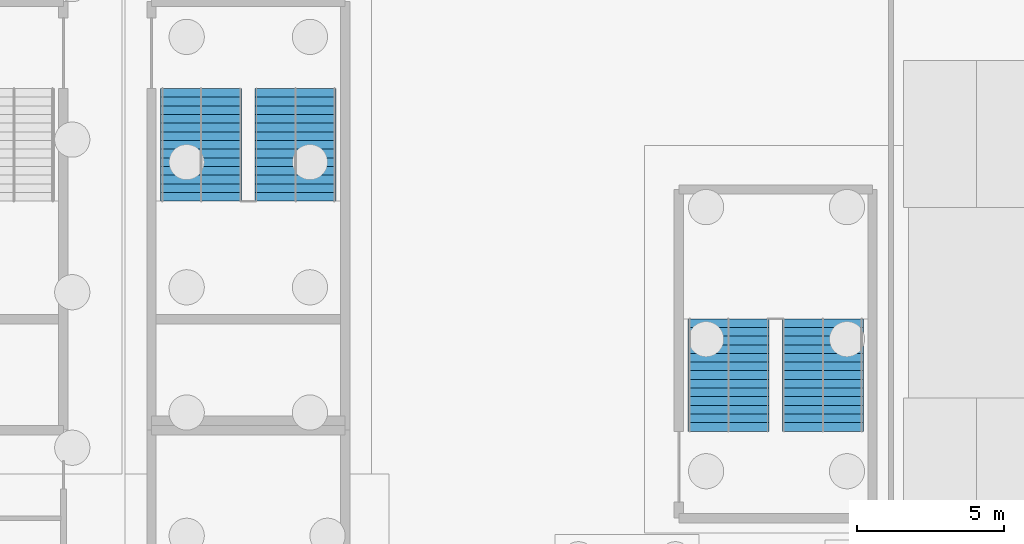
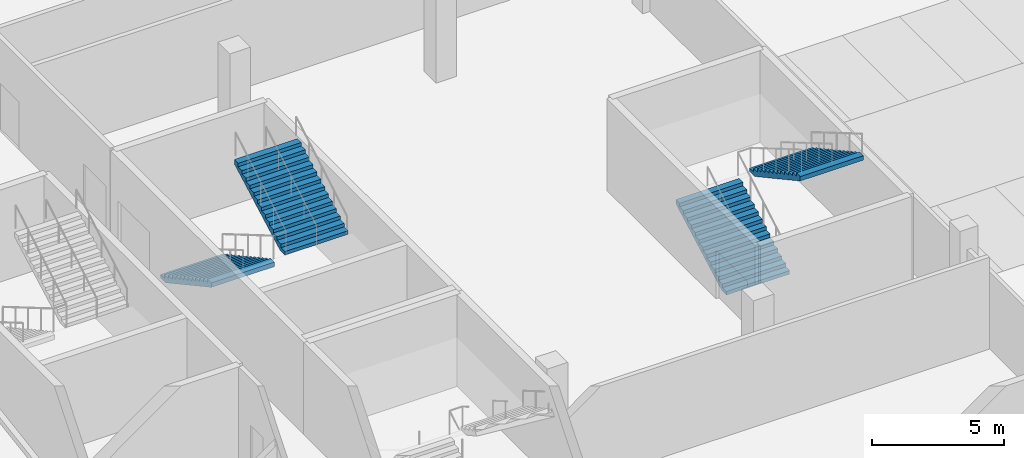
# One storey, part 32 of 46: 4 stair flights, 2 elements without a shape of their own.
"""IFC4 building model written with IfcOpenShell, lengths in metres."""

from ifc_helpers import new_model, si_unit, direction, frame, origin, place, context, subcontext, project, spatial, polygons, material, type_object, element, aggregate, save


model = new_model("IFC4")

# Units and contexts
model_context = context("Model", 3, precision=1e-05, world=origin(), true_north=direction((0.0, 1.0)))
body_context = subcontext(model_context, "Body", "Model", "MODEL_VIEW")
ifc_project = project(units=[si_unit("LENGTHUNIT", "METRE"), si_unit("AREAUNIT", "SQUARE_METRE"), si_unit("VOLUMEUNIT", "CUBIC_METRE"), si_unit("PLANEANGLEUNIT", "RADIAN"), si_unit("MASSUNIT", "GRAM", prefix="KILO")], contexts=[model_context])

# Site, building, storey
site_placement = place(None, origin())
site = spatial("IfcSite", under=ifc_project, at=site_placement, CompositionType="ELEMENT")
building_placement = place(site_placement, origin())
building = spatial("IfcBuilding", under=site, at=building_placement, Name="Kisiwana Market Hall", CompositionType="ELEMENT")
storey_placement = place(building_placement, frame((0.0, 0.0, -4.5)))
storey = spatial("IfcBuildingStorey", under=building, at=storey_placement, Name="B1", CompositionType="ELEMENT", Elevation=-4.5)

# Stair, stair flights
ifc_material_1 = material(Name="Concrete C32/40", Category="concrete")
stair_type = type_object("IfcStairType", Name="ST-ESC-4500", PredefinedType="TWO_STRAIGHT_RUN_STAIR", material=ifc_material_1)
stair_1_placement = place(storey_placement, origin())
stair_1 = element("IfcStair", 1, at=stair_1_placement, inside=storey, type_object=stair_type, Name="Escape stair ST-W8-B1", PredefinedType="TWO_STRAIGHT_RUN_STAIR")
ifc_material_2 = material(Name="Concrete C32/40", Category="concrete")
stair_flight_type = type_object("IfcStairFlightType", Name="SF-ESC-4500", PredefinedType="STRAIGHT", material=ifc_material_2)
stair_flight_1_placement = place(storey_placement, frame((21.489990234375, 77.639892578125, 0.0), z_axis=(0.0, 0.0, 1.0), x_axis=(0.0, -1.0, 0.0)))
stair_flight_1 = element("IfcStairFlight", 2, at=stair_flight_1_placement, type_object=stair_flight_type, Name="ST-W8-B1 flight 1", NumberOfRisers=14, NumberOfTreads=13, PredefinedType="STRAIGHT", RiserHeight=0.160714, TreadLength=0.295, context=body_context, shape_type="Tessellation", body=[
    polygons([(0.0, -1.380127, 0.0), (0.0, -0.690125, 0.0), (0.0, -0.000122, 0.0), (0.0, 0.68988, 0.0), (0.0, 1.379883, 0.0), (0.0, -1.380127, 0.160645), (0.0, -0.690125, 0.160645), (0.0, -0.000122, 0.160645), (0.0, 0.68988, 0.160645), (0.0, 1.379883, 0.160645), (0.294922, -1.380127, 0.160645), (0.294922, -0.690125, 0.160645), (0.294922, -0.000122, 0.160645), (0.294922, 0.68988, 0.160645), (0.294922, 1.379883, 0.160645), (0.294922, -1.380127, 0.321533), (0.294922, -0.690125, 0.321533), (0.294922, -0.000122, 0.321533), (0.294922, 0.68988, 0.321533), (0.294922, 1.379883, 0.321533), (0.590088, -1.380127, 0.321533), (0.590088, -0.690125, 0.321533), (0.590088, -0.000122, 0.321533), (0.590088, 0.68988, 0.321533), (0.590088, 1.379883, 0.321533), (0.590088, -1.380127, 0.482178), (0.590088, -0.690125, 0.482178), (0.590088, -0.000122, 0.482178), (0.590088, 0.68988, 0.482178), (0.590088, 1.379883, 0.482178), (0.88501, -1.380127, 0.482178), (0.88501, -0.690125, 0.482178), (0.88501, -0.000122, 0.482178), (0.88501, 0.68988, 0.482178), (0.88501, 1.379883, 0.482178), (0.88501, -1.380127, 0.642822), (0.88501, -0.690125, 0.642822), (0.88501, -0.000122, 0.642822), (0.88501, 0.68988, 0.642822), (0.88501, 1.379883, 0.642822), (1.179932, -1.380127, 0.642822), (1.179932, -0.690125, 0.642822), (1.179932, -0.000122, 0.642822), (1.179932, 0.68988, 0.642822), (1.179932, 1.379883, 0.642822), (1.179932, -1.380127, 0.803467), (1.179932, -0.690125, 0.803467), (1.179932, -0.000122, 0.803467), (1.179932, 0.68988, 0.803467), (1.179932, 1.379883, 0.803467), (1.475098, -1.380127, 0.803467), (1.475098, -0.690125, 0.803467), (1.475098, -0.000122, 0.803467), (1.475098, 0.68988, 0.803467), (1.475098, 1.379883, 0.803467), (1.475098, -1.380127, 0.964355), (1.475098, -0.690125, 0.964355), (1.475098, -0.000122, 0.964355), (1.475098, 0.68988, 0.964355), (1.475098, 1.379883, 0.964355), (1.77002, -1.380127, 0.964355), (1.77002, -0.690125, 0.964355), (1.77002, -0.000122, 0.964355), (1.77002, 0.68988, 0.964355), (1.77002, 1.379883, 0.964355), (1.77002, -1.380127, 1.125), (1.77002, -0.690125, 1.125), (1.77002, -0.000122, 1.125), (1.77002, 0.68988, 1.125), (1.77002, 1.379883, 1.125), (2.064941, -1.380127, 1.125), (2.064941, -0.690125, 1.125), (2.064941, -0.000122, 1.125), (2.064941, 0.68988, 1.125), (2.064941, 1.379883, 1.125), (2.064941, -1.380127, 1.285645), (2.064941, -0.690125, 1.285645), (2.064941, -0.000122, 1.285645), (2.064941, 0.68988, 1.285645), (2.064941, 1.379883, 1.285645), (2.360107, -1.380127, 1.285645), (2.360107, -0.690125, 1.285645), (2.360107, -0.000122, 1.285645), (2.360107, 0.68988, 1.285645), (2.360107, 1.379883, 1.285645), (2.360107, -1.380127, 1.446533), (2.360107, -0.690125, 1.446533), (2.360107, -0.000122, 1.446533), (2.360107, 0.68988, 1.446533), (2.360107, 1.379883, 1.446533), (2.655029, -1.380127, 1.446533), (2.655029, -0.690125, 1.446533), (2.655029, -0.000122, 1.446533), (2.655029, 0.68988, 1.446533), (2.655029, 1.379883, 1.446533), (2.655029, -1.380127, 1.607178), (2.655029, -0.690125, 1.607178), (2.655029, -0.000122, 1.607178), (2.655029, 0.68988, 1.607178), (2.655029, 1.379883, 1.607178), (2.949951, -1.380127, 1.607178), (2.949951, -0.690125, 1.607178), (2.949951, -0.000122, 1.607178), (2.949951, 0.68988, 1.607178), (2.949951, 1.379883, 1.607178), (2.949951, -1.380127, 1.767822), (2.949951, -0.690125, 1.767822), (2.949951, -0.000122, 1.767822), (2.949951, 0.68988, 1.767822), (2.949951, 1.379883, 1.767822), (3.245117, -1.380127, 1.767822), (3.245117, -0.690125, 1.767822), (3.245117, -0.000122, 1.767822), (3.245117, 0.68988, 1.767822), (3.245117, 1.379883, 1.767822), (3.245117, -1.380127, 1.928467), (3.245117, -0.690125, 1.928467), (3.245117, -0.000122, 1.928467), (3.245117, 0.68988, 1.928467), (3.245117, 1.379883, 1.928467), (3.540039, -1.380127, 1.928467), (3.540039, -0.690125, 1.928467), (3.540039, -0.000122, 1.928467), (3.540039, 0.68988, 1.928467), (3.540039, 1.379883, 1.928467), (3.540039, -1.380127, 2.089355), (3.540039, -0.690125, 2.089355), (3.540039, -0.000122, 2.089355), (3.540039, 0.68988, 2.089355), (3.540039, 1.379883, 2.089355), (3.834961, -1.380127, 2.089355), (3.834961, -0.690125, 2.089355), (3.834961, -0.000122, 2.089355), (3.834961, 0.68988, 2.089355), (3.834961, 1.379883, 2.089355), (3.834961, -1.380127, 1.884277), (3.834961, -0.690125, 1.884277), (3.834961, -0.000122, 1.884277), (3.834961, 0.68988, 1.884277), (3.834961, 1.379883, 1.884277), (0.376221, -1.380127, 0.0), (0.376221, -0.690125, 0.0), (0.376221, -0.000122, 0.0), (0.376221, 0.68988, 0.0), (0.376221, 1.379883, 0.0)], [[[1, 6, 7, 2]], [[2, 7, 8, 3]], [[3, 8, 9, 4]], [[4, 9, 10, 5]], [[6, 11, 12, 7]], [[7, 12, 13, 8]], [[8, 13, 14, 9]], [[9, 14, 15, 10]], [[11, 16, 17, 12]], [[12, 17, 18, 13]], [[13, 18, 19, 14]], [[14, 19, 20, 15]], [[16, 21, 22, 17]], [[17, 22, 23, 18]], [[18, 23, 24, 19]], [[19, 24, 25, 20]], [[21, 26, 27, 22]], [[22, 27, 28, 23]], [[23, 28, 29, 24]], [[24, 29, 30, 25]], [[26, 31, 32, 27]], [[27, 32, 33, 28]], [[28, 33, 34, 29]], [[29, 34, 35, 30]], [[31, 36, 37, 32]], [[32, 37, 38, 33]], [[33, 38, 39, 34]], [[34, 39, 40, 35]], [[36, 41, 42, 37]], [[37, 42, 43, 38]], [[38, 43, 44, 39]], [[39, 44, 45, 40]], [[41, 46, 47, 42]], [[42, 47, 48, 43]], [[43, 48, 49, 44]], [[44, 49, 50, 45]], [[46, 51, 52, 47]], [[47, 52, 53, 48]], [[48, 53, 54, 49]], [[49, 54, 55, 50]], [[51, 56, 57, 52]], [[52, 57, 58, 53]], [[53, 58, 59, 54]], [[54, 59, 60, 55]], [[56, 61, 62, 57]], [[57, 62, 63, 58]], [[58, 63, 64, 59]], [[59, 64, 65, 60]], [[61, 66, 67, 62]], [[62, 67, 68, 63]], [[63, 68, 69, 64]], [[64, 69, 70, 65]], [[66, 71, 72, 67]], [[67, 72, 73, 68]], [[68, 73, 74, 69]], [[69, 74, 75, 70]], [[71, 76, 77, 72]], [[72, 77, 78, 73]], [[73, 78, 79, 74]], [[74, 79, 80, 75]], [[76, 81, 82, 77]], [[77, 82, 83, 78]], [[78, 83, 84, 79]], [[79, 84, 85, 80]], [[81, 86, 87, 82]], [[82, 87, 88, 83]], [[83, 88, 89, 84]], [[84, 89, 90, 85]], [[86, 91, 92, 87]], [[87, 92, 93, 88]], [[88, 93, 94, 89]], [[89, 94, 95, 90]], [[91, 96, 97, 92]], [[92, 97, 98, 93]], [[93, 98, 99, 94]], [[94, 99, 100, 95]], [[96, 101, 102, 97]], [[97, 102, 103, 98]], [[98, 103, 104, 99]], [[99, 104, 105, 100]], [[101, 106, 107, 102]], [[102, 107, 108, 103]], [[103, 108, 109, 104]], [[104, 109, 110, 105]], [[106, 111, 112, 107]], [[107, 112, 113, 108]], [[108, 113, 114, 109]], [[109, 114, 115, 110]], [[111, 116, 117, 112]], [[112, 117, 118, 113]], [[113, 118, 119, 114]], [[114, 119, 120, 115]], [[116, 121, 122, 117]], [[117, 122, 123, 118]], [[118, 123, 124, 119]], [[119, 124, 125, 120]], [[121, 126, 127, 122]], [[122, 127, 128, 123]], [[123, 128, 129, 124]], [[124, 129, 130, 125]], [[126, 131, 132, 127]], [[127, 132, 133, 128]], [[128, 133, 134, 129]], [[129, 134, 135, 130]], [[131, 136, 137, 132]], [[132, 137, 138, 133]], [[133, 138, 139, 134]], [[134, 139, 140, 135]], [[136, 141, 142, 137]], [[137, 142, 143, 138]], [[138, 143, 144, 139]], [[139, 144, 145, 140]], [[141, 1, 2, 142]], [[142, 2, 3, 143]], [[143, 3, 4, 144]], [[144, 4, 5, 145]], [[141, 136, 131, 126, 121, 116, 111, 106, 101, 96, 91, 86, 81, 76, 71, 66, 61, 56, 51, 46, 41, 36, 31, 26, 21, 16, 11, 6, 1]], [[5, 10, 15, 20, 25, 30, 35, 40, 45, 50, 55, 60, 65, 70, 75, 80, 85, 90, 95, 100, 105, 110, 115, 120, 125, 130, 135, 140, 145]]], closed=True),
])
stair_flight_2_placement = place(storey_placement, frame((24.7099609375, 73.804931640625, 2.25), z_axis=(0.0, 0.0, 1.0), x_axis=(0.0, 1.0, 0.0)))
stair_flight_2 = element("IfcStairFlight", 3, at=stair_flight_2_placement, type_object=stair_flight_type, Name="ST-W8-B1 flight 2", NumberOfRisers=14, NumberOfTreads=13, PredefinedType="STRAIGHT", RiserHeight=0.160714, TreadLength=0.295, context=body_context, shape_type="Tessellation", body=[
    polygons([(0.0, -1.380127, 0.0), (0.0, -0.690125, 0.0), (0.0, -0.000122, 0.0), (0.0, 0.68988, 0.0), (0.0, 1.379883, 0.0), (0.0, -1.380127, 0.160645), (0.0, -0.690125, 0.160645), (0.0, -0.000122, 0.160645), (0.0, 0.68988, 0.160645), (0.0, 1.379883, 0.160645), (0.294922, -1.380127, 0.160645), (0.294922, -0.690125, 0.160645), (0.294922, -0.000122, 0.160645), (0.294922, 0.68988, 0.160645), (0.294922, 1.379883, 0.160645), (0.294922, -1.380127, 0.321533), (0.294922, -0.690125, 0.321533), (0.294922, -0.000122, 0.321533), (0.294922, 0.68988, 0.321533), (0.294922, 1.379883, 0.321533), (0.590088, -1.380127, 0.321533), (0.590088, -0.690125, 0.321533), (0.590088, -0.000122, 0.321533), (0.590088, 0.68988, 0.321533), (0.590088, 1.379883, 0.321533), (0.590088, -1.380127, 0.482178), (0.590088, -0.690125, 0.482178), (0.590088, -0.000122, 0.482178), (0.590088, 0.68988, 0.482178), (0.590088, 1.379883, 0.482178), (0.88501, -1.380127, 0.482178), (0.88501, -0.690125, 0.482178), (0.88501, -0.000122, 0.482178), (0.88501, 0.68988, 0.482178), (0.88501, 1.379883, 0.482178), (0.88501, -1.380127, 0.642822), (0.88501, -0.690125, 0.642822), (0.88501, -0.000122, 0.642822), (0.88501, 0.68988, 0.642822), (0.88501, 1.379883, 0.642822), (1.179932, -1.380127, 0.642822), (1.179932, -0.690125, 0.642822), (1.179932, -0.000122, 0.642822), (1.179932, 0.68988, 0.642822), (1.179932, 1.379883, 0.642822), (1.179932, -1.380127, 0.803467), (1.179932, -0.690125, 0.803467), (1.179932, -0.000122, 0.803467), (1.179932, 0.68988, 0.803467), (1.179932, 1.379883, 0.803467), (1.475098, -1.380127, 0.803467), (1.475098, -0.690125, 0.803467), (1.475098, -0.000122, 0.803467), (1.475098, 0.68988, 0.803467), (1.475098, 1.379883, 0.803467), (1.475098, -1.380127, 0.964355), (1.475098, -0.690125, 0.964355), (1.475098, -0.000122, 0.964355), (1.475098, 0.68988, 0.964355), (1.475098, 1.379883, 0.964355), (1.77002, -1.380127, 0.964355), (1.77002, -0.690125, 0.964355), (1.77002, -0.000122, 0.964355), (1.77002, 0.68988, 0.964355), (1.77002, 1.379883, 0.964355), (1.77002, -1.380127, 1.125), (1.77002, -0.690125, 1.125), (1.77002, -0.000122, 1.125), (1.77002, 0.68988, 1.125), (1.77002, 1.379883, 1.125), (2.064941, -1.380127, 1.125), (2.064941, -0.690125, 1.125), (2.064941, -0.000122, 1.125), (2.064941, 0.68988, 1.125), (2.064941, 1.379883, 1.125), (2.064941, -1.380127, 1.285645), (2.064941, -0.690125, 1.285645), (2.064941, -0.000122, 1.285645), (2.064941, 0.68988, 1.285645), (2.064941, 1.379883, 1.285645), (2.360107, -1.380127, 1.285645), (2.360107, -0.690125, 1.285645), (2.360107, -0.000122, 1.285645), (2.360107, 0.68988, 1.285645), (2.360107, 1.379883, 1.285645), (2.360107, -1.380127, 1.446533), (2.360107, -0.690125, 1.446533), (2.360107, -0.000122, 1.446533), (2.360107, 0.68988, 1.446533), (2.360107, 1.379883, 1.446533), (2.655029, -1.380127, 1.446533), (2.655029, -0.690125, 1.446533), (2.655029, -0.000122, 1.446533), (2.655029, 0.68988, 1.446533), (2.655029, 1.379883, 1.446533), (2.655029, -1.380127, 1.607178), (2.655029, -0.690125, 1.607178), (2.655029, -0.000122, 1.607178), (2.655029, 0.68988, 1.607178), (2.655029, 1.379883, 1.607178), (2.949951, -1.380127, 1.607178), (2.949951, -0.690125, 1.607178), (2.949951, -0.000122, 1.607178), (2.949951, 0.68988, 1.607178), (2.949951, 1.379883, 1.607178), (2.949951, -1.380127, 1.767822), (2.949951, -0.690125, 1.767822), (2.949951, -0.000122, 1.767822), (2.949951, 0.68988, 1.767822), (2.949951, 1.379883, 1.767822), (3.245117, -1.380127, 1.767822), (3.245117, -0.690125, 1.767822), (3.245117, -0.000122, 1.767822), (3.245117, 0.68988, 1.767822), (3.245117, 1.379883, 1.767822), (3.245117, -1.380127, 1.928467), (3.245117, -0.690125, 1.928467), (3.245117, -0.000122, 1.928467), (3.245117, 0.68988, 1.928467), (3.245117, 1.379883, 1.928467), (3.540039, -1.380127, 1.928467), (3.540039, -0.690125, 1.928467), (3.540039, -0.000122, 1.928467), (3.540039, 0.68988, 1.928467), (3.540039, 1.379883, 1.928467), (3.540039, -1.380127, 2.089355), (3.540039, -0.690125, 2.089355), (3.540039, -0.000122, 2.089355), (3.540039, 0.68988, 2.089355), (3.540039, 1.379883, 2.089355), (3.834961, -1.380127, 2.089355), (3.834961, -0.690125, 2.089355), (3.834961, -0.000122, 2.089355), (3.834961, 0.68988, 2.089355), (3.834961, 1.379883, 2.089355), (3.834961, -1.380127, 1.884277), (3.834961, -0.690125, 1.884277), (3.834961, -0.000122, 1.884277), (3.834961, 0.68988, 1.884277), (3.834961, 1.379883, 1.884277), (0.376221, -1.380127, 0.0), (0.376221, -0.690125, 0.0), (0.376221, -0.000122, 0.0), (0.376221, 0.68988, 0.0), (0.376221, 1.379883, 0.0)], [[[1, 6, 7, 2]], [[2, 7, 8, 3]], [[3, 8, 9, 4]], [[4, 9, 10, 5]], [[6, 11, 12, 7]], [[7, 12, 13, 8]], [[8, 13, 14, 9]], [[9, 14, 15, 10]], [[11, 16, 17, 12]], [[12, 17, 18, 13]], [[13, 18, 19, 14]], [[14, 19, 20, 15]], [[16, 21, 22, 17]], [[17, 22, 23, 18]], [[18, 23, 24, 19]], [[19, 24, 25, 20]], [[21, 26, 27, 22]], [[22, 27, 28, 23]], [[23, 28, 29, 24]], [[24, 29, 30, 25]], [[26, 31, 32, 27]], [[27, 32, 33, 28]], [[28, 33, 34, 29]], [[29, 34, 35, 30]], [[31, 36, 37, 32]], [[32, 37, 38, 33]], [[33, 38, 39, 34]], [[34, 39, 40, 35]], [[36, 41, 42, 37]], [[37, 42, 43, 38]], [[38, 43, 44, 39]], [[39, 44, 45, 40]], [[41, 46, 47, 42]], [[42, 47, 48, 43]], [[43, 48, 49, 44]], [[44, 49, 50, 45]], [[46, 51, 52, 47]], [[47, 52, 53, 48]], [[48, 53, 54, 49]], [[49, 54, 55, 50]], [[51, 56, 57, 52]], [[52, 57, 58, 53]], [[53, 58, 59, 54]], [[54, 59, 60, 55]], [[56, 61, 62, 57]], [[57, 62, 63, 58]], [[58, 63, 64, 59]], [[59, 64, 65, 60]], [[61, 66, 67, 62]], [[62, 67, 68, 63]], [[63, 68, 69, 64]], [[64, 69, 70, 65]], [[66, 71, 72, 67]], [[67, 72, 73, 68]], [[68, 73, 74, 69]], [[69, 74, 75, 70]], [[71, 76, 77, 72]], [[72, 77, 78, 73]], [[73, 78, 79, 74]], [[74, 79, 80, 75]], [[76, 81, 82, 77]], [[77, 82, 83, 78]], [[78, 83, 84, 79]], [[79, 84, 85, 80]], [[81, 86, 87, 82]], [[82, 87, 88, 83]], [[83, 88, 89, 84]], [[84, 89, 90, 85]], [[86, 91, 92, 87]], [[87, 92, 93, 88]], [[88, 93, 94, 89]], [[89, 94, 95, 90]], [[91, 96, 97, 92]], [[92, 97, 98, 93]], [[93, 98, 99, 94]], [[94, 99, 100, 95]], [[96, 101, 102, 97]], [[97, 102, 103, 98]], [[98, 103, 104, 99]], [[99, 104, 105, 100]], [[101, 106, 107, 102]], [[102, 107, 108, 103]], [[103, 108, 109, 104]], [[104, 109, 110, 105]], [[106, 111, 112, 107]], [[107, 112, 113, 108]], [[108, 113, 114, 109]], [[109, 114, 115, 110]], [[111, 116, 117, 112]], [[112, 117, 118, 113]], [[113, 118, 119, 114]], [[114, 119, 120, 115]], [[116, 121, 122, 117]], [[117, 122, 123, 118]], [[118, 123, 124, 119]], [[119, 124, 125, 120]], [[121, 126, 127, 122]], [[122, 127, 128, 123]], [[123, 128, 129, 124]], [[124, 129, 130, 125]], [[126, 131, 132, 127]], [[127, 132, 133, 128]], [[128, 133, 134, 129]], [[129, 134, 135, 130]], [[131, 136, 137, 132]], [[132, 137, 138, 133]], [[133, 138, 139, 134]], [[134, 139, 140, 135]], [[136, 141, 142, 137]], [[137, 142, 143, 138]], [[138, 143, 144, 139]], [[139, 144, 145, 140]], [[141, 1, 2, 142]], [[142, 2, 3, 143]], [[143, 3, 4, 144]], [[144, 4, 5, 145]], [[141, 136, 131, 126, 121, 116, 111, 106, 101, 96, 91, 86, 81, 76, 71, 66, 61, 56, 51, 46, 41, 36, 31, 26, 21, 16, 11, 6, 1]], [[5, 10, 15, 20, 25, 30, 35, 40, 45, 50, 55, 60, 65, 70, 75, 80, 85, 90, 95, 100, 105, 110, 115, 120, 125, 130, 135, 140, 145]]], closed=True),
])
aggregate(stair_1, [stair_flight_1, stair_flight_2])

stair_2_placement = place(storey_placement, origin())
stair_2 = element("IfcStair", 4, at=stair_2_placement, inside=storey, type_object=stair_type, Name="Escape stair ST-W10-B1", PredefinedType="TWO_STRAIGHT_RUN_STAIR")
stair_flight_3_placement = place(storey_placement, frame((39.4599609375, 65.9599609375, 0.0), z_axis=(0.0, 0.0, 1.0), x_axis=(0.0, 1.0, 0.0)))
stair_flight_3 = element("IfcStairFlight", 5, at=stair_flight_3_placement, type_object=stair_flight_type, Name="ST-W10-B1 flight 1", NumberOfRisers=14, NumberOfTreads=13, PredefinedType="STRAIGHT", RiserHeight=0.160714, TreadLength=0.295, context=body_context, shape_type="Tessellation", body=[
    polygons([(0.0, -1.380127, 0.0), (0.0, -0.690125, 0.0), (0.0, -0.000122, 0.0), (0.0, 0.68988, 0.0), (0.0, 1.379883, 0.0), (0.0, -1.380127, 0.160645), (0.0, -0.690125, 0.160645), (0.0, -0.000122, 0.160645), (0.0, 0.68988, 0.160645), (0.0, 1.379883, 0.160645), (0.294922, -1.380127, 0.160645), (0.294922, -0.690125, 0.160645), (0.294922, -0.000122, 0.160645), (0.294922, 0.68988, 0.160645), (0.294922, 1.379883, 0.160645), (0.294922, -1.380127, 0.321533), (0.294922, -0.690125, 0.321533), (0.294922, -0.000122, 0.321533), (0.294922, 0.68988, 0.321533), (0.294922, 1.379883, 0.321533), (0.590088, -1.380127, 0.321533), (0.590088, -0.690125, 0.321533), (0.590088, -0.000122, 0.321533), (0.590088, 0.68988, 0.321533), (0.590088, 1.379883, 0.321533), (0.590088, -1.380127, 0.482178), (0.590088, -0.690125, 0.482178), (0.590088, -0.000122, 0.482178), (0.590088, 0.68988, 0.482178), (0.590088, 1.379883, 0.482178), (0.88501, -1.380127, 0.482178), (0.88501, -0.690125, 0.482178), (0.88501, -0.000122, 0.482178), (0.88501, 0.68988, 0.482178), (0.88501, 1.379883, 0.482178), (0.88501, -1.380127, 0.642822), (0.88501, -0.690125, 0.642822), (0.88501, -0.000122, 0.642822), (0.88501, 0.68988, 0.642822), (0.88501, 1.379883, 0.642822), (1.179932, -1.380127, 0.642822), (1.179932, -0.690125, 0.642822), (1.179932, -0.000122, 0.642822), (1.179932, 0.68988, 0.642822), (1.179932, 1.379883, 0.642822), (1.179932, -1.380127, 0.803467), (1.179932, -0.690125, 0.803467), (1.179932, -0.000122, 0.803467), (1.179932, 0.68988, 0.803467), (1.179932, 1.379883, 0.803467), (1.475098, -1.380127, 0.803467), (1.475098, -0.690125, 0.803467), (1.475098, -0.000122, 0.803467), (1.475098, 0.68988, 0.803467), (1.475098, 1.379883, 0.803467), (1.475098, -1.380127, 0.964355), (1.475098, -0.690125, 0.964355), (1.475098, -0.000122, 0.964355), (1.475098, 0.68988, 0.964355), (1.475098, 1.379883, 0.964355), (1.77002, -1.380127, 0.964355), (1.77002, -0.690125, 0.964355), (1.77002, -0.000122, 0.964355), (1.77002, 0.68988, 0.964355), (1.77002, 1.379883, 0.964355), (1.77002, -1.380127, 1.125), (1.77002, -0.690125, 1.125), (1.77002, -0.000122, 1.125), (1.77002, 0.68988, 1.125), (1.77002, 1.379883, 1.125), (2.064941, -1.380127, 1.125), (2.064941, -0.690125, 1.125), (2.064941, -0.000122, 1.125), (2.064941, 0.68988, 1.125), (2.064941, 1.379883, 1.125), (2.064941, -1.380127, 1.285645), (2.064941, -0.690125, 1.285645), (2.064941, -0.000122, 1.285645), (2.064941, 0.68988, 1.285645), (2.064941, 1.379883, 1.285645), (2.360107, -1.380127, 1.285645), (2.360107, -0.690125, 1.285645), (2.360107, -0.000122, 1.285645), (2.360107, 0.68988, 1.285645), (2.360107, 1.379883, 1.285645), (2.360107, -1.380127, 1.446533), (2.360107, -0.690125, 1.446533), (2.360107, -0.000122, 1.446533), (2.360107, 0.68988, 1.446533), (2.360107, 1.379883, 1.446533), (2.655029, -1.380127, 1.446533), (2.655029, -0.690125, 1.446533), (2.655029, -0.000122, 1.446533), (2.655029, 0.68988, 1.446533), (2.655029, 1.379883, 1.446533), (2.655029, -1.380127, 1.607178), (2.655029, -0.690125, 1.607178), (2.655029, -0.000122, 1.607178), (2.655029, 0.68988, 1.607178), (2.655029, 1.379883, 1.607178), (2.949951, -1.380127, 1.607178), (2.949951, -0.690125, 1.607178), (2.949951, -0.000122, 1.607178), (2.949951, 0.68988, 1.607178), (2.949951, 1.379883, 1.607178), (2.949951, -1.380127, 1.767822), (2.949951, -0.690125, 1.767822), (2.949951, -0.000122, 1.767822), (2.949951, 0.68988, 1.767822), (2.949951, 1.379883, 1.767822), (3.245117, -1.380127, 1.767822), (3.245117, -0.690125, 1.767822), (3.245117, -0.000122, 1.767822), (3.245117, 0.68988, 1.767822), (3.245117, 1.379883, 1.767822), (3.245117, -1.380127, 1.928467), (3.245117, -0.690125, 1.928467), (3.245117, -0.000122, 1.928467), (3.245117, 0.68988, 1.928467), (3.245117, 1.379883, 1.928467), (3.540039, -1.380127, 1.928467), (3.540039, -0.690125, 1.928467), (3.540039, -0.000122, 1.928467), (3.540039, 0.68988, 1.928467), (3.540039, 1.379883, 1.928467), (3.540039, -1.380127, 2.089355), (3.540039, -0.690125, 2.089355), (3.540039, -0.000122, 2.089355), (3.540039, 0.68988, 2.089355), (3.540039, 1.379883, 2.089355), (3.834961, -1.380127, 2.089355), (3.834961, -0.690125, 2.089355), (3.834961, -0.000122, 2.089355), (3.834961, 0.68988, 2.089355), (3.834961, 1.379883, 2.089355), (3.834961, -1.380127, 1.884277), (3.834961, -0.690125, 1.884277), (3.834961, -0.000122, 1.884277), (3.834961, 0.68988, 1.884277), (3.834961, 1.379883, 1.884277), (0.376221, -1.380127, 0.0), (0.376221, -0.690125, 0.0), (0.376221, -0.000122, 0.0), (0.376221, 0.68988, 0.0), (0.376221, 1.379883, 0.0)], [[[1, 6, 7, 2]], [[2, 7, 8, 3]], [[3, 8, 9, 4]], [[4, 9, 10, 5]], [[6, 11, 12, 7]], [[7, 12, 13, 8]], [[8, 13, 14, 9]], [[9, 14, 15, 10]], [[11, 16, 17, 12]], [[12, 17, 18, 13]], [[13, 18, 19, 14]], [[14, 19, 20, 15]], [[16, 21, 22, 17]], [[17, 22, 23, 18]], [[18, 23, 24, 19]], [[19, 24, 25, 20]], [[21, 26, 27, 22]], [[22, 27, 28, 23]], [[23, 28, 29, 24]], [[24, 29, 30, 25]], [[26, 31, 32, 27]], [[27, 32, 33, 28]], [[28, 33, 34, 29]], [[29, 34, 35, 30]], [[31, 36, 37, 32]], [[32, 37, 38, 33]], [[33, 38, 39, 34]], [[34, 39, 40, 35]], [[36, 41, 42, 37]], [[37, 42, 43, 38]], [[38, 43, 44, 39]], [[39, 44, 45, 40]], [[41, 46, 47, 42]], [[42, 47, 48, 43]], [[43, 48, 49, 44]], [[44, 49, 50, 45]], [[46, 51, 52, 47]], [[47, 52, 53, 48]], [[48, 53, 54, 49]], [[49, 54, 55, 50]], [[51, 56, 57, 52]], [[52, 57, 58, 53]], [[53, 58, 59, 54]], [[54, 59, 60, 55]], [[56, 61, 62, 57]], [[57, 62, 63, 58]], [[58, 63, 64, 59]], [[59, 64, 65, 60]], [[61, 66, 67, 62]], [[62, 67, 68, 63]], [[63, 68, 69, 64]], [[64, 69, 70, 65]], [[66, 71, 72, 67]], [[67, 72, 73, 68]], [[68, 73, 74, 69]], [[69, 74, 75, 70]], [[71, 76, 77, 72]], [[72, 77, 78, 73]], [[73, 78, 79, 74]], [[74, 79, 80, 75]], [[76, 81, 82, 77]], [[77, 82, 83, 78]], [[78, 83, 84, 79]], [[79, 84, 85, 80]], [[81, 86, 87, 82]], [[82, 87, 88, 83]], [[83, 88, 89, 84]], [[84, 89, 90, 85]], [[86, 91, 92, 87]], [[87, 92, 93, 88]], [[88, 93, 94, 89]], [[89, 94, 95, 90]], [[91, 96, 97, 92]], [[92, 97, 98, 93]], [[93, 98, 99, 94]], [[94, 99, 100, 95]], [[96, 101, 102, 97]], [[97, 102, 103, 98]], [[98, 103, 104, 99]], [[99, 104, 105, 100]], [[101, 106, 107, 102]], [[102, 107, 108, 103]], [[103, 108, 109, 104]], [[104, 109, 110, 105]], [[106, 111, 112, 107]], [[107, 112, 113, 108]], [[108, 113, 114, 109]], [[109, 114, 115, 110]], [[111, 116, 117, 112]], [[112, 117, 118, 113]], [[113, 118, 119, 114]], [[114, 119, 120, 115]], [[116, 121, 122, 117]], [[117, 122, 123, 118]], [[118, 123, 124, 119]], [[119, 124, 125, 120]], [[121, 126, 127, 122]], [[122, 127, 128, 123]], [[123, 128, 129, 124]], [[124, 129, 130, 125]], [[126, 131, 132, 127]], [[127, 132, 133, 128]], [[128, 133, 134, 129]], [[129, 134, 135, 130]], [[131, 136, 137, 132]], [[132, 137, 138, 133]], [[133, 138, 139, 134]], [[134, 139, 140, 135]], [[136, 141, 142, 137]], [[137, 142, 143, 138]], [[138, 143, 144, 139]], [[139, 144, 145, 140]], [[141, 1, 2, 142]], [[142, 2, 3, 143]], [[143, 3, 4, 144]], [[144, 4, 5, 145]], [[141, 136, 131, 126, 121, 116, 111, 106, 101, 96, 91, 86, 81, 76, 71, 66, 61, 56, 51, 46, 41, 36, 31, 26, 21, 16, 11, 6, 1]], [[5, 10, 15, 20, 25, 30, 35, 40, 45, 50, 55, 60, 65, 70, 75, 80, 85, 90, 95, 100, 105, 110, 115, 120, 125, 130, 135, 140, 145]]], closed=True),
])
stair_flight_4_placement = place(storey_placement, frame((42.679931640625, 69.794921875, 2.25), z_axis=(0.0, 0.0, 1.0), x_axis=(0.0, -1.0, 0.0)))
stair_flight_4 = element("IfcStairFlight", 6, at=stair_flight_4_placement, type_object=stair_flight_type, Name="ST-W10-B1 flight 2", NumberOfRisers=14, NumberOfTreads=13, PredefinedType="STRAIGHT", RiserHeight=0.160714, TreadLength=0.295, context=body_context, shape_type="Tessellation", body=[
    polygons([(0.0, -1.380127, 0.0), (0.0, -0.690125, 0.0), (0.0, -0.000122, 0.0), (0.0, 0.68988, 0.0), (0.0, 1.379883, 0.0), (0.0, -1.380127, 0.160645), (0.0, -0.690125, 0.160645), (0.0, -0.000122, 0.160645), (0.0, 0.68988, 0.160645), (0.0, 1.379883, 0.160645), (0.294922, -1.380127, 0.160645), (0.294922, -0.690125, 0.160645), (0.294922, -0.000122, 0.160645), (0.294922, 0.68988, 0.160645), (0.294922, 1.379883, 0.160645), (0.294922, -1.380127, 0.321533), (0.294922, -0.690125, 0.321533), (0.294922, -0.000122, 0.321533), (0.294922, 0.68988, 0.321533), (0.294922, 1.379883, 0.321533), (0.590088, -1.380127, 0.321533), (0.590088, -0.690125, 0.321533), (0.590088, -0.000122, 0.321533), (0.590088, 0.68988, 0.321533), (0.590088, 1.379883, 0.321533), (0.590088, -1.380127, 0.482178), (0.590088, -0.690125, 0.482178), (0.590088, -0.000122, 0.482178), (0.590088, 0.68988, 0.482178), (0.590088, 1.379883, 0.482178), (0.88501, -1.380127, 0.482178), (0.88501, -0.690125, 0.482178), (0.88501, -0.000122, 0.482178), (0.88501, 0.68988, 0.482178), (0.88501, 1.379883, 0.482178), (0.88501, -1.380127, 0.642822), (0.88501, -0.690125, 0.642822), (0.88501, -0.000122, 0.642822), (0.88501, 0.68988, 0.642822), (0.88501, 1.379883, 0.642822), (1.179932, -1.380127, 0.642822), (1.179932, -0.690125, 0.642822), (1.179932, -0.000122, 0.642822), (1.179932, 0.68988, 0.642822), (1.179932, 1.379883, 0.642822), (1.179932, -1.380127, 0.803467), (1.179932, -0.690125, 0.803467), (1.179932, -0.000122, 0.803467), (1.179932, 0.68988, 0.803467), (1.179932, 1.379883, 0.803467), (1.475098, -1.380127, 0.803467), (1.475098, -0.690125, 0.803467), (1.475098, -0.000122, 0.803467), (1.475098, 0.68988, 0.803467), (1.475098, 1.379883, 0.803467), (1.475098, -1.380127, 0.964355), (1.475098, -0.690125, 0.964355), (1.475098, -0.000122, 0.964355), (1.475098, 0.68988, 0.964355), (1.475098, 1.379883, 0.964355), (1.77002, -1.380127, 0.964355), (1.77002, -0.690125, 0.964355), (1.77002, -0.000122, 0.964355), (1.77002, 0.68988, 0.964355), (1.77002, 1.379883, 0.964355), (1.77002, -1.380127, 1.125), (1.77002, -0.690125, 1.125), (1.77002, -0.000122, 1.125), (1.77002, 0.68988, 1.125), (1.77002, 1.379883, 1.125), (2.064941, -1.380127, 1.125), (2.064941, -0.690125, 1.125), (2.064941, -0.000122, 1.125), (2.064941, 0.68988, 1.125), (2.064941, 1.379883, 1.125), (2.064941, -1.380127, 1.285645), (2.064941, -0.690125, 1.285645), (2.064941, -0.000122, 1.285645), (2.064941, 0.68988, 1.285645), (2.064941, 1.379883, 1.285645), (2.360107, -1.380127, 1.285645), (2.360107, -0.690125, 1.285645), (2.360107, -0.000122, 1.285645), (2.360107, 0.68988, 1.285645), (2.360107, 1.379883, 1.285645), (2.360107, -1.380127, 1.446533), (2.360107, -0.690125, 1.446533), (2.360107, -0.000122, 1.446533), (2.360107, 0.68988, 1.446533), (2.360107, 1.379883, 1.446533), (2.655029, -1.380127, 1.446533), (2.655029, -0.690125, 1.446533), (2.655029, -0.000122, 1.446533), (2.655029, 0.68988, 1.446533), (2.655029, 1.379883, 1.446533), (2.655029, -1.380127, 1.607178), (2.655029, -0.690125, 1.607178), (2.655029, -0.000122, 1.607178), (2.655029, 0.68988, 1.607178), (2.655029, 1.379883, 1.607178), (2.949951, -1.380127, 1.607178), (2.949951, -0.690125, 1.607178), (2.949951, -0.000122, 1.607178), (2.949951, 0.68988, 1.607178), (2.949951, 1.379883, 1.607178), (2.949951, -1.380127, 1.767822), (2.949951, -0.690125, 1.767822), (2.949951, -0.000122, 1.767822), (2.949951, 0.68988, 1.767822), (2.949951, 1.379883, 1.767822), (3.245117, -1.380127, 1.767822), (3.245117, -0.690125, 1.767822), (3.245117, -0.000122, 1.767822), (3.245117, 0.68988, 1.767822), (3.245117, 1.379883, 1.767822), (3.245117, -1.380127, 1.928467), (3.245117, -0.690125, 1.928467), (3.245117, -0.000122, 1.928467), (3.245117, 0.68988, 1.928467), (3.245117, 1.379883, 1.928467), (3.540039, -1.380127, 1.928467), (3.540039, -0.690125, 1.928467), (3.540039, -0.000122, 1.928467), (3.540039, 0.68988, 1.928467), (3.540039, 1.379883, 1.928467), (3.540039, -1.380127, 2.089355), (3.540039, -0.690125, 2.089355), (3.540039, -0.000122, 2.089355), (3.540039, 0.68988, 2.089355), (3.540039, 1.379883, 2.089355), (3.834961, -1.380127, 2.089355), (3.834961, -0.690125, 2.089355), (3.834961, -0.000122, 2.089355), (3.834961, 0.68988, 2.089355), (3.834961, 1.379883, 2.089355), (3.834961, -1.380127, 1.884277), (3.834961, -0.690125, 1.884277), (3.834961, -0.000122, 1.884277), (3.834961, 0.68988, 1.884277), (3.834961, 1.379883, 1.884277), (0.376221, -1.380127, 0.0), (0.376221, -0.690125, 0.0), (0.376221, -0.000122, 0.0), (0.376221, 0.68988, 0.0), (0.376221, 1.379883, 0.0)], [[[1, 6, 7, 2]], [[2, 7, 8, 3]], [[3, 8, 9, 4]], [[4, 9, 10, 5]], [[6, 11, 12, 7]], [[7, 12, 13, 8]], [[8, 13, 14, 9]], [[9, 14, 15, 10]], [[11, 16, 17, 12]], [[12, 17, 18, 13]], [[13, 18, 19, 14]], [[14, 19, 20, 15]], [[16, 21, 22, 17]], [[17, 22, 23, 18]], [[18, 23, 24, 19]], [[19, 24, 25, 20]], [[21, 26, 27, 22]], [[22, 27, 28, 23]], [[23, 28, 29, 24]], [[24, 29, 30, 25]], [[26, 31, 32, 27]], [[27, 32, 33, 28]], [[28, 33, 34, 29]], [[29, 34, 35, 30]], [[31, 36, 37, 32]], [[32, 37, 38, 33]], [[33, 38, 39, 34]], [[34, 39, 40, 35]], [[36, 41, 42, 37]], [[37, 42, 43, 38]], [[38, 43, 44, 39]], [[39, 44, 45, 40]], [[41, 46, 47, 42]], [[42, 47, 48, 43]], [[43, 48, 49, 44]], [[44, 49, 50, 45]], [[46, 51, 52, 47]], [[47, 52, 53, 48]], [[48, 53, 54, 49]], [[49, 54, 55, 50]], [[51, 56, 57, 52]], [[52, 57, 58, 53]], [[53, 58, 59, 54]], [[54, 59, 60, 55]], [[56, 61, 62, 57]], [[57, 62, 63, 58]], [[58, 63, 64, 59]], [[59, 64, 65, 60]], [[61, 66, 67, 62]], [[62, 67, 68, 63]], [[63, 68, 69, 64]], [[64, 69, 70, 65]], [[66, 71, 72, 67]], [[67, 72, 73, 68]], [[68, 73, 74, 69]], [[69, 74, 75, 70]], [[71, 76, 77, 72]], [[72, 77, 78, 73]], [[73, 78, 79, 74]], [[74, 79, 80, 75]], [[76, 81, 82, 77]], [[77, 82, 83, 78]], [[78, 83, 84, 79]], [[79, 84, 85, 80]], [[81, 86, 87, 82]], [[82, 87, 88, 83]], [[83, 88, 89, 84]], [[84, 89, 90, 85]], [[86, 91, 92, 87]], [[87, 92, 93, 88]], [[88, 93, 94, 89]], [[89, 94, 95, 90]], [[91, 96, 97, 92]], [[92, 97, 98, 93]], [[93, 98, 99, 94]], [[94, 99, 100, 95]], [[96, 101, 102, 97]], [[97, 102, 103, 98]], [[98, 103, 104, 99]], [[99, 104, 105, 100]], [[101, 106, 107, 102]], [[102, 107, 108, 103]], [[103, 108, 109, 104]], [[104, 109, 110, 105]], [[106, 111, 112, 107]], [[107, 112, 113, 108]], [[108, 113, 114, 109]], [[109, 114, 115, 110]], [[111, 116, 117, 112]], [[112, 117, 118, 113]], [[113, 118, 119, 114]], [[114, 119, 120, 115]], [[116, 121, 122, 117]], [[117, 122, 123, 118]], [[118, 123, 124, 119]], [[119, 124, 125, 120]], [[121, 126, 127, 122]], [[122, 127, 128, 123]], [[123, 128, 129, 124]], [[124, 129, 130, 125]], [[126, 131, 132, 127]], [[127, 132, 133, 128]], [[128, 133, 134, 129]], [[129, 134, 135, 130]], [[131, 136, 137, 132]], [[132, 137, 138, 133]], [[133, 138, 139, 134]], [[134, 139, 140, 135]], [[136, 141, 142, 137]], [[137, 142, 143, 138]], [[138, 143, 144, 139]], [[139, 144, 145, 140]], [[141, 1, 2, 142]], [[142, 2, 3, 143]], [[143, 3, 4, 144]], [[144, 4, 5, 145]], [[141, 136, 131, 126, 121, 116, 111, 106, 101, 96, 91, 86, 81, 76, 71, 66, 61, 56, 51, 46, 41, 36, 31, 26, 21, 16, 11, 6, 1]], [[5, 10, 15, 20, 25, 30, 35, 40, 45, 50, 55, 60, 65, 70, 75, 80, 85, 90, 95, 100, 105, 110, 115, 120, 125, 130, 135, 140, 145]]], closed=True),
])
aggregate(stair_2, [stair_flight_3, stair_flight_4])

save(model, "model.ifc")
